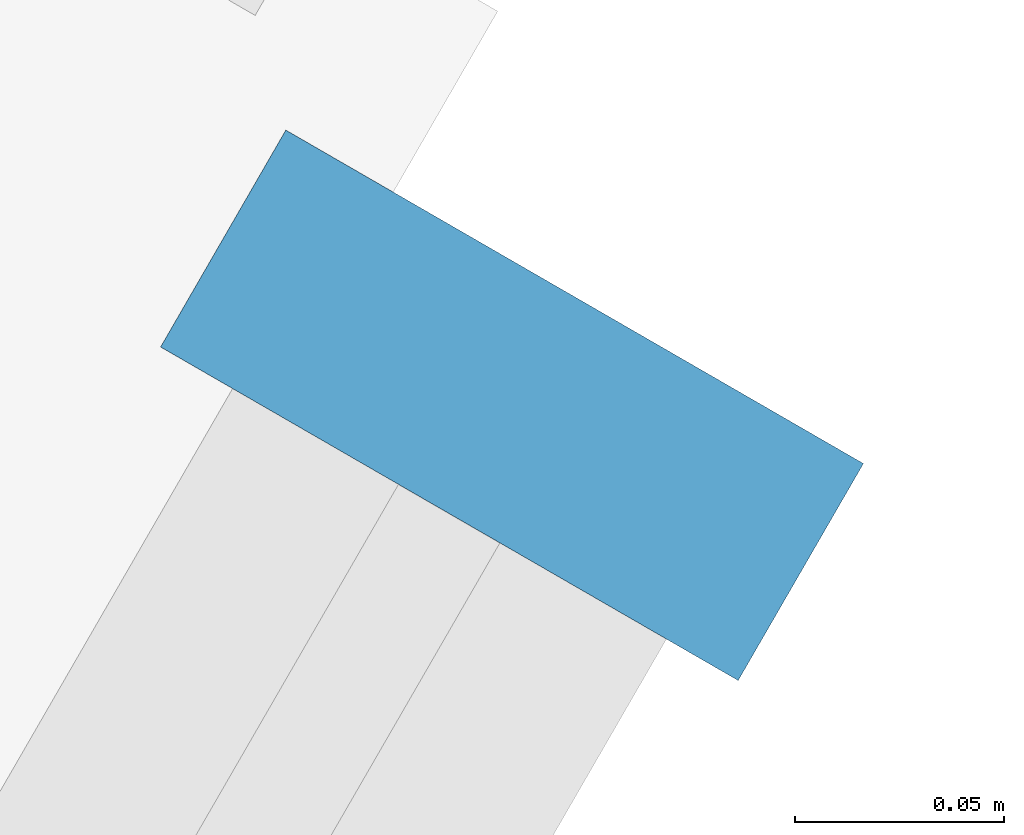
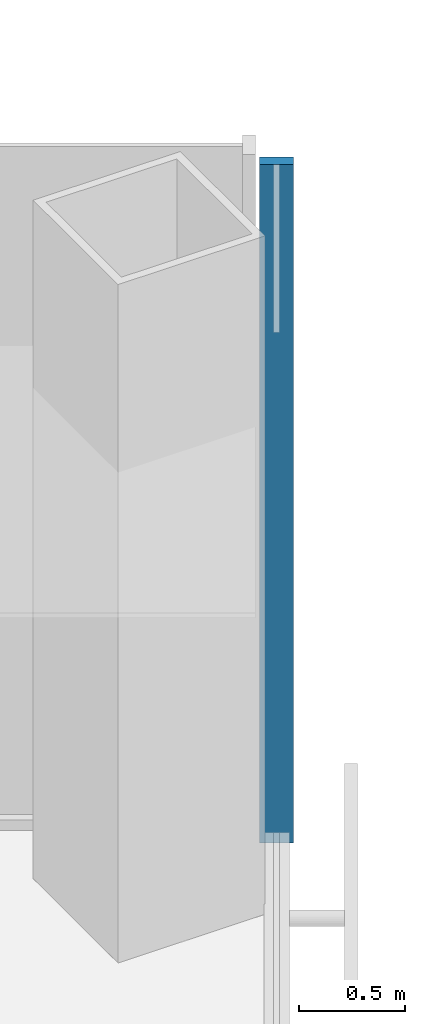
# One storey, part 9 of 18: 1 member, 1 element without a shape of its own.
"""IFC4 building model written with IfcOpenShell, lengths in metres."""

from ifc_helpers import new_model, si_unit, direction, frame, origin, origin_2d, place, context, subcontext, project, spatial, rectangle, extrude, material, material_profile, profile_set, type_object, element, aggregate, save


model = new_model("IFC4")

# Units and contexts
model_context = context("Model", 3, precision=1e-05, world=origin(), true_north=direction((0.0, 1.0)))
body_context = subcontext(model_context, "Body", "Model", "MODEL_VIEW")
ifc_project = project(units=[si_unit("LENGTHUNIT", "METRE"), si_unit("AREAUNIT", "SQUARE_METRE"), si_unit("VOLUMEUNIT", "CUBIC_METRE"), si_unit("PLANEANGLEUNIT", "RADIAN"), si_unit("MASSUNIT", "GRAM", prefix="KILO")], contexts=[model_context])

# Site, building, storey
site_placement = place(None, origin())
site = spatial("IfcSite", under=ifc_project, at=site_placement, CompositionType="ELEMENT")
building_placement = place(site_placement, origin())
building = spatial("IfcBuilding", under=site, at=building_placement, Name="Kasaneha Research Tower", CompositionType="ELEMENT")
storey_placement = place(building_placement, frame((0.0, 0.0, 108.0)))
storey = spatial("IfcBuildingStorey", under=building, at=storey_placement, Name="L27", CompositionType="ELEMENT", Elevation=108.0)

# Curtain wall, member
ifc_material_1 = material(Name="Glass and aluminium", Category="aluminium")
curtain_wall_type = type_object("IfcCurtainWallType", Name="Low-rise office curtain wall", PredefinedType="USERDEFINED", material=ifc_material_1)
curtain_wall_placement = place(storey_placement, origin())
curtain_wall = element("IfcCurtainWall", 1, at=curtain_wall_placement, inside=storey, type_object=curtain_wall_type, Name="CW-O1 L27 run 05a", ObjectType="UNITISED CURTAIN WALL", PredefinedType="USERDEFINED")
ifc_material_2 = material(Name="Aluminium 6063-T6", Category="aluminium")
ifc_material_profile = material_profile(ifc_material_2, rectangle(XDim=0.06005859375, YDim=0.159912109375, at=origin_2d()), Name="CW-O1 mullion 60x160")
ifc_profile_set = profile_set([ifc_material_profile], Name="Aluminium 6063-T6")
member_type = type_object("IfcMemberType", Name="CW-O1 mullion", PredefinedType="MULLION", material=ifc_profile_set)
member_placement = place(storey_placement, frame((32.012939453125, -6.39306640625, 0.0), z_axis=(0.0, 0.0, 1.0), x_axis=(0.500000011442, 0.866025397178, 0.0)))
member = element("IfcMember", 2, at=member_placement, type_object=member_type, Name="CW-O1 mullion 4", PredefinedType="MULLION", context=body_context, shape_type="SweptSolid", body=[
    extrude(rectangle(XDim=0.06005859375, YDim=0.159912109375, at=origin_2d()), origin(), (0.0, 0.0, 1.0), 3.89990234375),
])
aggregate(curtain_wall, [member])

save(model, "model.ifc")
